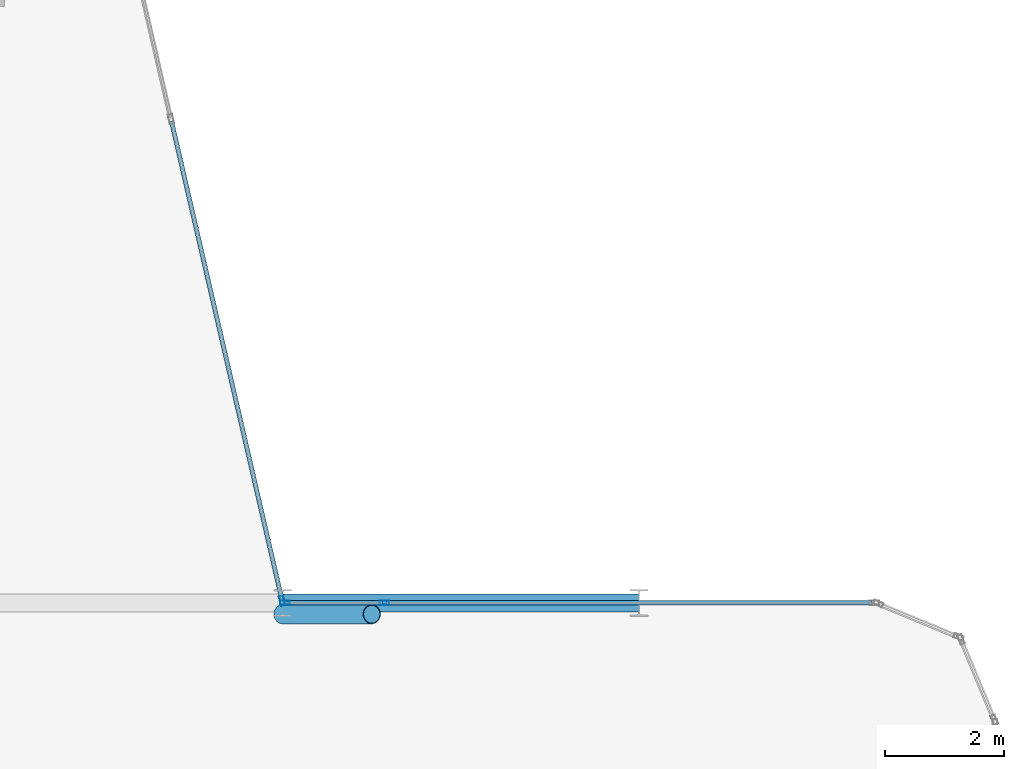
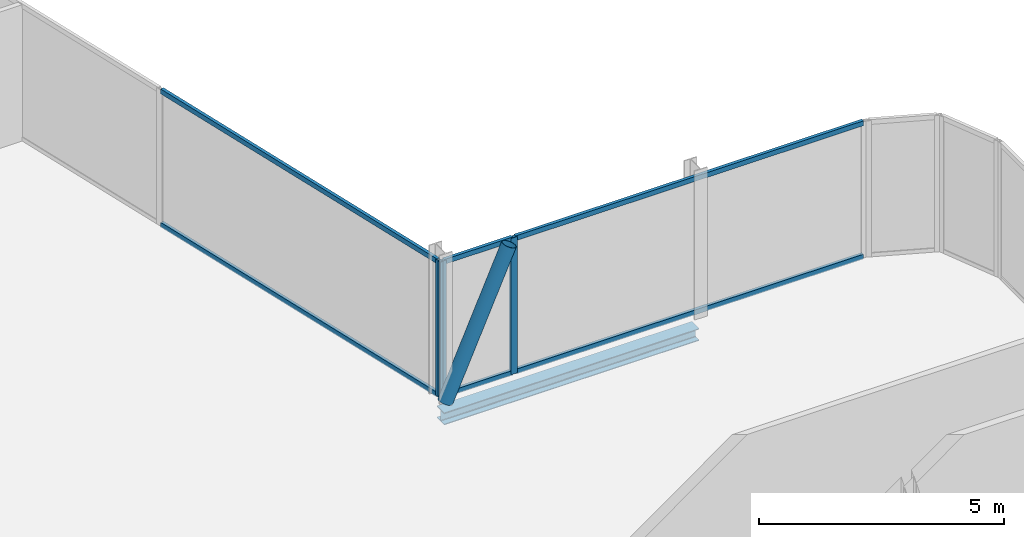
# One storey, part 14 of 29: 10 members, 1 beam, 3 elements without a shape of their own.
"""IFC4 building model written with IfcOpenShell, lengths in metres."""

from ifc_helpers import new_model, si_unit, direction, frame, origin, origin_2d, place, context, subcontext, project, spatial, hollow_rectangle, hollow_circle, i_section, extrude, material, layer, layer_set, material_profile, profile_set, type_object, element, aggregate, save


model = new_model("IFC4")

# Units and contexts
model_context = context("Model", 3, precision=1e-05, world=origin(), true_north=direction((0.0, 1.0)))
body_context = subcontext(model_context, "Body", "Model", "MODEL_VIEW")
ifc_project = project(units=[si_unit("LENGTHUNIT", "METRE"), si_unit("AREAUNIT", "SQUARE_METRE"), si_unit("VOLUMEUNIT", "CUBIC_METRE"), si_unit("PLANEANGLEUNIT", "RADIAN"), si_unit("MASSUNIT", "GRAM", prefix="KILO")], contexts=[model_context])

# Site, building, storey
site_placement = place(None, origin())
site = spatial("IfcSite", under=ifc_project, at=site_placement, CompositionType="ELEMENT")
building_placement = place(site_placement, origin())
building = spatial("IfcBuilding", under=site, at=building_placement, Name="Keshet Zoharim Tower", CompositionType="ELEMENT")
storey_placement = place(building_placement, frame((0.0, 0.0, 176.5)))
storey = spatial("IfcBuildingStorey", under=building, at=storey_placement, Name="L43", CompositionType="ELEMENT", Elevation=176.5)

# Beam
ifc_material_1 = material(Name="Steel S355", Category="steel")
ifc_material_profile_1 = material_profile(ifc_material_1, i_section(OverallWidth=0.300048828125, OverallDepth=0.300048828125, WebThickness=0.010986328125, FlangeThickness=0.01904296875, FilletRadius=0.027099609375, at=origin_2d()), Name="HEB300")
ifc_profile_set_1 = profile_set([ifc_material_profile_1], Name="Steel S355")
beam_type = type_object("IfcBeamType", Name="BM-PRI-HB300", PredefinedType="BEAM", material=ifc_profile_set_1)
beam_placement = place(storey_placement, frame((45.0, 27.89990234375, -0.4599609375), z_axis=(1.0, 0.0, 0.0), x_axis=(0.0, 1.0, 0.0)))
element("IfcBeam", 1, at=beam_placement, inside=storey, type_object=beam_type, Name="L43 Primary Girder X-016", PredefinedType="BEAM", context=body_context, shape_type="SweptSolid", body=[
    extrude(i_section(OverallWidth=0.300048828125, OverallDepth=0.300048828125, WebThickness=0.010986328125, FlangeThickness=0.01904296875, FilletRadius=0.027099609375, at=origin_2d()), origin(), (0.0, 0.0, 1.0), 6.0),
])

# Curtain wall, member
ifc_material_2 = material(Name="Aluminium 6063-T6", Category="aluminium")
ifc_layer = layer(ifc_material_2, 0.139892578125)
ifc_layer_set = layer_set([ifc_layer], Name="Aluminium 6063-T6")
curtain_wall_type = type_object("IfcCurtainWallType", Name="CW-SYS-05", PredefinedType="NOTDEFINED", material=ifc_layer_set)
curtain_wall_1_placement = place(storey_placement, origin())
curtain_wall_1 = element("IfcCurtainWall", 2, at=curtain_wall_1_placement, inside=storey, type_object=curtain_wall_type, Name="L43 Unitised Curtain Wall 19", PredefinedType="NOTDEFINED")
ifc_material_profile_2 = material_profile(ifc_material_2, hollow_rectangle(XDim=0.074951171875, YDim=0.159912109375, WallThickness=0.00390625, at=origin_2d()), Name="MUL-75x160")
ifc_profile_set_2 = profile_set([ifc_material_profile_2], Name="Aluminium 6063-T6")
member_type_1 = type_object("IfcMemberType", Name="CWM-M15", PredefinedType="MULLION", material=ifc_profile_set_2)
member_1_placement = place(storey_placement, frame((44.9921875, 27.93408203125, 0.0), z_axis=(0.0, 0.0, 1.0), x_axis=(0.974393882313, 0.224847864369, 0.0)))
member_1 = element("IfcMember", 3, at=member_1_placement, type_object=member_type_1, Name="CW-05 mullion 4", PredefinedType="MULLION", context=body_context, shape_type="SweptSolid", body=[
    extrude(hollow_rectangle(XDim=0.074951171875, YDim=0.159912109375, WallThickness=0.00390625, at=origin_2d()), origin(), (0.0, 0.0, 1.0), 3.389892578125),
])

# Curtain wall, members
curtain_wall_2_placement = place(storey_placement, origin())
curtain_wall_2 = element("IfcCurtainWall", 4, at=curtain_wall_2_placement, inside=storey, type_object=curtain_wall_type, Name="L43 Unitised Curtain Wall 20", PredefinedType="NOTDEFINED")
member_2_placement = place(storey_placement, frame((45.034912109375, 27.89990234375, 0.0), z_axis=(0.0, 0.0, 1.0), x_axis=(0.0, 1.0, 0.0)))
member_2 = element("IfcMember", 5, at=member_2_placement, type_object=member_type_1, Name="CW-05 mullion 1", PredefinedType="MULLION", context=body_context, shape_type="SweptSolid", body=[
    extrude(hollow_rectangle(XDim=0.074951171875, YDim=0.159912109375, WallThickness=0.00390625, at=origin_2d()), origin(), (0.0, 0.0, 1.0), 3.389892578125),
])
member_3_placement = place(storey_placement, frame((46.713134765625, 27.89990234375, 0.0), z_axis=(0.0, 0.0, 1.0), x_axis=(0.0, 1.0, 0.0)))
member_3 = element("IfcMember", 6, at=member_3_placement, type_object=member_type_1, Name="CW-05 mullion 2", PredefinedType="MULLION", context=body_context, shape_type="SweptSolid", body=[
    extrude(hollow_rectangle(XDim=0.074951171875, YDim=0.159912109375, WallThickness=0.00390625, at=origin_2d()), origin(), (0.0, 0.0, 1.0), 3.389892578125),
])

# Member
ifc_material_profile_3 = material_profile(ifc_material_2, hollow_rectangle(XDim=0.074951171875, YDim=0.1201171875, WallThickness=0.00390625, at=origin_2d()), Name="TRN-75x120")
ifc_profile_set_3 = profile_set([ifc_material_profile_3], Name="Aluminium 6063-T6")
member_type_2 = type_object("IfcMemberType", Name="CWT-T12", PredefinedType="USERDEFINED", material=ifc_profile_set_3)
member_4_placement = place(storey_placement, frame((43.127197265625, 36.015869140625, 0.034912109375), z_axis=(0.224863824467, -0.974390199277, 0.0), x_axis=(0.974390199277, 0.224863824467, 0.0)))
member_4 = element("IfcMember", 7, at=member_4_placement, type_object=member_type_2, Name="CW-05 transom 3.1", ObjectType="TRANSOM", PredefinedType="USERDEFINED", context=body_context, shape_type="SweptSolid", body=[
    extrude(hollow_rectangle(XDim=0.074951171875, YDim=0.1201171875, WallThickness=0.00390625, at=origin_2d()), origin(), (0.0, 0.0, 1.0), 8.259033203125),
])

member_5_placement = place(storey_placement, frame((43.127197265625, 36.015869140625, 3.35498046875), z_axis=(0.224863824467, -0.974390199277, 0.0), x_axis=(0.974390199277, 0.224863824467, 0.0)))
member_5 = element("IfcMember", 8, at=member_5_placement, type_object=member_type_2, Name="CW-05 transom 3.2", ObjectType="TRANSOM", PredefinedType="USERDEFINED", context=body_context, shape_type="SweptSolid", body=[
    extrude(hollow_rectangle(XDim=0.074951171875, YDim=0.1201171875, WallThickness=0.00390625, at=origin_2d()), origin(), (0.0, 0.0, 1.0), 8.259033203125),
])

aggregate(curtain_wall_1, [member_1, member_4, member_5])

member_6_placement = place(storey_placement, frame((45.070068359375, 27.89990234375, 0.034912109375), z_axis=(1.0, 0.0, 0.0), x_axis=(0.0, 1.0, 0.0)))
member_6 = element("IfcMember", 9, at=member_6_placement, type_object=member_type_2, Name="CW-05 transom 1.1", ObjectType="TRANSOM", PredefinedType="USERDEFINED", context=body_context, shape_type="SweptSolid", body=[
    extrude(hollow_rectangle(XDim=0.074951171875, YDim=0.1201171875, WallThickness=0.00390625, at=origin_2d()), origin(), (0.0, 0.0, 1.0), 1.60791015625),
])

member_7_placement = place(storey_placement, frame((45.070068359375, 27.89990234375, 3.35498046875), z_axis=(1.0, 0.0, 0.0), x_axis=(0.0, 1.0, 0.0)))
member_7 = element("IfcMember", 10, at=member_7_placement, type_object=member_type_2, Name="CW-05 transom 1.2", ObjectType="TRANSOM", PredefinedType="USERDEFINED", context=body_context, shape_type="SweptSolid", body=[
    extrude(hollow_rectangle(XDim=0.074951171875, YDim=0.1201171875, WallThickness=0.00390625, at=origin_2d()), origin(), (0.0, 0.0, 1.0), 1.60791015625),
])

aggregate(curtain_wall_2, [member_2, member_3, member_6, member_7])

# Curtain wall, members
curtain_wall_3_placement = place(storey_placement, origin())
curtain_wall_3 = element("IfcCurtainWall", 11, at=curtain_wall_3_placement, inside=storey, type_object=curtain_wall_type, Name="L43 Unitised Curtain Wall 20 Part 2", PredefinedType="NOTDEFINED")
member_8_placement = place(storey_placement, frame((46.748046875, 27.89990234375, 0.034912109375), z_axis=(1.0, 0.0, 0.0), x_axis=(0.0, 1.0, 0.0)))
member_8 = element("IfcMember", 12, at=member_8_placement, type_object=member_type_2, Name="CW-05 transom 1.1", ObjectType="TRANSOM", PredefinedType="USERDEFINED", context=body_context, shape_type="SweptSolid", body=[
    extrude(hollow_rectangle(XDim=0.074951171875, YDim=0.1201171875, WallThickness=0.00390625, at=origin_2d()), origin(), (0.0, 0.0, 1.0), 8.181884765625),
])
member_9_placement = place(storey_placement, frame((46.748046875, 27.89990234375, 3.35498046875), z_axis=(1.0, 0.0, 0.0), x_axis=(0.0, 1.0, 0.0)))
member_9 = element("IfcMember", 13, at=member_9_placement, type_object=member_type_2, Name="CW-05 transom 1.2", ObjectType="TRANSOM", PredefinedType="USERDEFINED", context=body_context, shape_type="SweptSolid", body=[
    extrude(hollow_rectangle(XDim=0.074951171875, YDim=0.1201171875, WallThickness=0.00390625, at=origin_2d()), origin(), (0.0, 0.0, 1.0), 8.181884765625),
])
aggregate(curtain_wall_3, [member_8, member_9])

# Member
ifc_material_profile_4 = material_profile(ifc_material_1, hollow_circle(Radius=0.161865234375, WallThickness=0.012451171875, at=origin_2d()), Name="CHS323x12.5")
ifc_profile_set_4 = profile_set([ifc_material_profile_4], Name="Steel S355")
member_type_3 = type_object("IfcMemberType", Name="MB-BR-C323", PredefinedType="BRACE", material=ifc_profile_set_4)
member_10_placement = place(storey_placement, frame((45.0, 27.7099609375, 0.0), z_axis=(0.40464689807, 0.0, 0.914473011019), x_axis=(0.0, 1.0, 0.0)))
element("IfcMember", 14, at=member_10_placement, inside=storey, type_object=member_type_3, Name="L43 Perimeter Tube Brace 04", PredefinedType="BRACE", context=body_context, shape_type="SweptSolid", body=[
    extrude(hollow_circle(Radius=0.161865234375, WallThickness=0.012451171875, at=origin_2d()), origin(), (0.0, 0.0, 1.0), 3.70703125),
])

save(model, "model.ifc")
